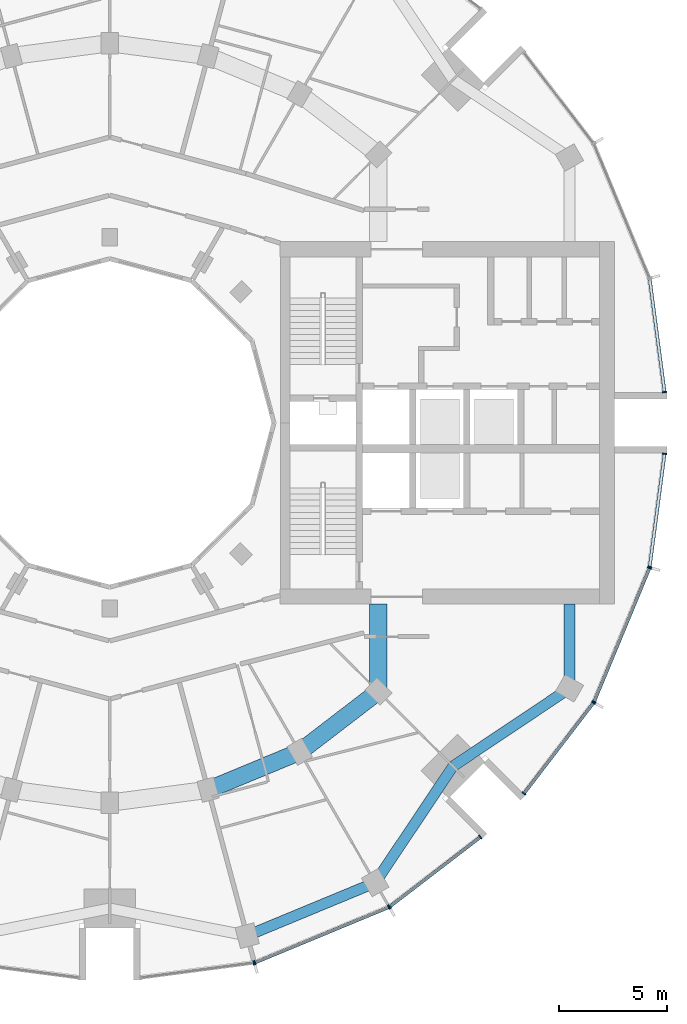
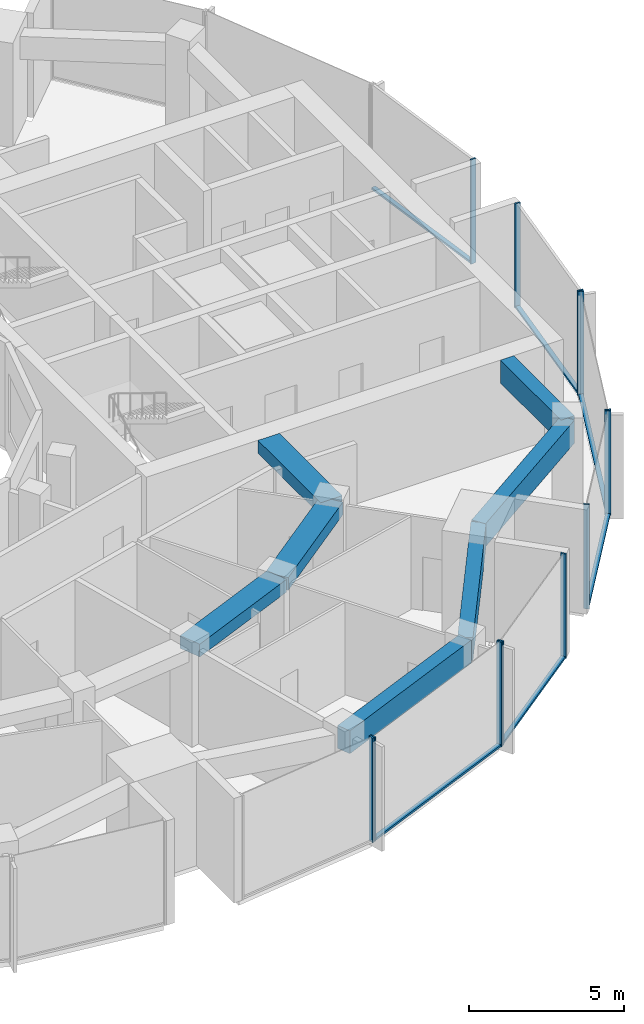
# One storey, part 4 of 15: 18 members, 7 beams, 7 elements without a shape of their own.
"""IFC4 building model written with IfcOpenShell, lengths in metres."""

from ifc_helpers import new_model, si_unit, direction, frame, origin, origin_2d, place, context, subcontext, project, spatial, rectangle, extrude, material, layer, layer_set, material_profile, profile_set, type_object, element, aggregate, save


model = new_model("IFC4")

# Units and contexts
model_context = context("Model", 3, precision=1e-05, world=origin(), true_north=direction((0.0, 1.0)))
body_context = subcontext(model_context, "Body", "Model", "MODEL_VIEW")
ifc_project = project(units=[si_unit("LENGTHUNIT", "METRE"), si_unit("AREAUNIT", "SQUARE_METRE"), si_unit("VOLUMEUNIT", "CUBIC_METRE"), si_unit("PLANEANGLEUNIT", "RADIAN"), si_unit("MASSUNIT", "GRAM", prefix="KILO")], contexts=[model_context])

# Site, building, storey
site_placement = place(None, origin())
site = spatial("IfcSite", under=ifc_project, at=site_placement, CompositionType="ELEMENT")
building_placement = place(site_placement, origin())
building = spatial("IfcBuilding", under=site, at=building_placement, Name="Torre Brocal", CompositionType="ELEMENT")
storey_placement = place(building_placement, frame((0.0, 0.0, 178.199951171875)))
storey = spatial("IfcBuildingStorey", under=building, at=storey_placement, Name="L41", CompositionType="ELEMENT", Elevation=178.199951171875)

# Curtain wall, member
ifc_material_1 = material(Name="Aluminium and glass", Category="aluminium")
ifc_layer_1 = layer(ifc_material_1, 0.199951171875)
ifc_layer_set_1 = layer_set([ifc_layer_1], Name="Aluminium and glass")
curtain_wall_type_1 = type_object("IfcCurtainWallType", Name="CW-1 CURTAIN WALL 4100 HIGH", PredefinedType="NOTDEFINED", material=ifc_layer_set_1)
curtain_wall_1_placement = place(storey_placement, origin())
curtain_wall_1 = element("IfcCurtainWall", 1, at=curtain_wall_1_placement, inside=storey, type_object=curtain_wall_type_1, Name="CW-1 RUN 19", PredefinedType="NOTDEFINED")
ifc_material_2 = material(Name="Aluminium, dark anodised", Category="aluminium")
ifc_material_profile_1 = material_profile(ifc_material_2, rectangle(XDim=0.199951171875, YDim=0.06005859375, at=origin_2d()), Name="CW-1 MULLION 60X200")
ifc_profile_set_1 = profile_set([ifc_material_profile_1], Name="Aluminium, dark anodised")
member_type_1 = type_object("IfcMemberType", Name="CW-1 MULLION 60X200", PredefinedType="MULLION", material=ifc_profile_set_1)
member_1_placement = place(storey_placement, frame((86.67333984375, 49.9794921875, 0.0), z_axis=(0.0, 0.0, 1.0), x_axis=(-0.13052619222, 0.991444861374, 0.0)))
member_1 = element("IfcMember", 2, at=member_1_placement, type_object=member_type_1, Name="CW1-4 mullion 2", PredefinedType="MULLION", context=body_context, shape_type="SweptSolid", body=[
    extrude(rectangle(XDim=0.199951171875, YDim=0.06005859375, at=origin_2d()), origin(), (0.0, 0.0, 1.0), 4.10009765625),
])
aggregate(curtain_wall_1, [member_1])

# Curtain wall, members
curtain_wall_2_placement = place(storey_placement, origin())
curtain_wall_2 = element("IfcCurtainWall", 3, at=curtain_wall_2_placement, inside=storey, type_object=curtain_wall_type_1, Name="CW-1 RUN 20", PredefinedType="NOTDEFINED")
member_2_placement = place(storey_placement, frame((86.73095703125, 49.994873046875, 0.0), z_axis=(0.0, 0.0, 1.0), x_axis=(-0.382683432333, 0.923879532525, 0.0)))
member_2 = element("IfcMember", 4, at=member_2_placement, type_object=member_type_1, Name="CW1-4 mullion 1", PredefinedType="MULLION", context=body_context, shape_type="SweptSolid", body=[
    extrude(rectangle(XDim=0.199951171875, YDim=0.06005859375, at=origin_2d()), origin(), (0.0, 0.0, 1.0), 4.10009765625),
])
member_3_placement = place(storey_placement, frame((92.921875, 52.559326171875, 0.0), z_axis=(0.0, 0.0, 1.0), x_axis=(-0.382683432333, 0.923879532525, 0.0)))
member_3 = element("IfcMember", 5, at=member_3_placement, type_object=member_type_1, Name="CW1-4 mullion 2", PredefinedType="MULLION", context=body_context, shape_type="SweptSolid", body=[
    extrude(rectangle(XDim=0.199951171875, YDim=0.06005859375, at=origin_2d()), origin(), (0.0, 0.0, 1.0), 4.10009765625),
])

curtain_wall_3_placement = place(storey_placement, origin())
curtain_wall_3 = element("IfcCurtainWall", 6, at=curtain_wall_3_placement, inside=storey, type_object=curtain_wall_type_1, Name="CW-1 RUN 21", PredefinedType="NOTDEFINED")
member_4_placement = place(storey_placement, frame((92.973388671875, 52.5888671875, 0.0), z_axis=(0.0, 0.0, 1.0), x_axis=(-0.60876142905, 0.793353340259, 0.0)))
member_4 = element("IfcMember", 7, at=member_4_placement, type_object=member_type_1, Name="CW1-4 mullion 1", PredefinedType="MULLION", context=body_context, shape_type="SweptSolid", body=[
    extrude(rectangle(XDim=0.199951171875, YDim=0.06005859375, at=origin_2d()), origin(), (0.0, 0.0, 1.0), 4.10009765625),
])
member_5_placement = place(storey_placement, frame((97.16943359375, 55.80859375, 0.0), z_axis=(0.0, 0.0, 1.0), x_axis=(-0.60876142905, 0.793353340259, 0.0)))
member_5 = element("IfcMember", 8, at=member_5_placement, type_object=member_type_1, Name="CW1-4 mullion 2", PredefinedType="MULLION", context=body_context, shape_type="SweptSolid", body=[
    extrude(rectangle(XDim=0.199951171875, YDim=0.06005859375, at=origin_2d()), origin(), (0.0, 0.0, 1.0), 4.10009765625),
])

curtain_wall_4_placement = place(storey_placement, origin())
curtain_wall_4 = element("IfcCurtainWall", 9, at=curtain_wall_4_placement, inside=storey, type_object=curtain_wall_type_1, Name="CW-1 RUN 22", PredefinedType="NOTDEFINED")
member_6_placement = place(storey_placement, frame((99.19140625, 57.83056640625, 0.0), z_axis=(0.0, 0.0, 1.0), x_axis=(-0.793353340259, 0.60876142905, 0.0)))
member_6 = element("IfcMember", 10, at=member_6_placement, type_object=member_type_1, Name="CW1-4 mullion 1", PredefinedType="MULLION", context=body_context, shape_type="SweptSolid", body=[
    extrude(rectangle(XDim=0.199951171875, YDim=0.06005859375, at=origin_2d()), origin(), (0.0, 0.0, 1.0), 4.10009765625),
])
member_7_placement = place(storey_placement, frame((102.4111328125, 62.026611328125, 0.0), z_axis=(0.0, 0.0, 1.0), x_axis=(-0.793353340259, 0.60876142905, 0.0)))
member_7 = element("IfcMember", 11, at=member_7_placement, type_object=member_type_1, Name="CW1-4 mullion 2", PredefinedType="MULLION", context=body_context, shape_type="SweptSolid", body=[
    extrude(rectangle(XDim=0.199951171875, YDim=0.06005859375, at=origin_2d()), origin(), (0.0, 0.0, 1.0), 4.10009765625),
])

curtain_wall_5_placement = place(storey_placement, origin())
curtain_wall_5 = element("IfcCurtainWall", 12, at=curtain_wall_5_placement, inside=storey, type_object=curtain_wall_type_1, Name="CW-1 RUN 23", PredefinedType="NOTDEFINED")
member_8_placement = place(storey_placement, frame((102.440673828125, 62.078125, 0.0), z_axis=(0.0, 0.0, 1.0), x_axis=(-0.923879532525, 0.382683432333, 0.0)))
member_8 = element("IfcMember", 13, at=member_8_placement, type_object=member_type_1, Name="CW1-4 mullion 1", PredefinedType="MULLION", context=body_context, shape_type="SweptSolid", body=[
    extrude(rectangle(XDim=0.199951171875, YDim=0.06005859375, at=origin_2d()), origin(), (0.0, 0.0, 1.0), 4.10009765625),
])
member_9_placement = place(storey_placement, frame((105.005126953125, 68.26904296875, 0.0), z_axis=(0.0, 0.0, 1.0), x_axis=(-0.923879532525, 0.382683432333, 0.0)))
member_9 = element("IfcMember", 14, at=member_9_placement, type_object=member_type_1, Name="CW1-4 mullion 2", PredefinedType="MULLION", context=body_context, shape_type="SweptSolid", body=[
    extrude(rectangle(XDim=0.199951171875, YDim=0.06005859375, at=origin_2d()), origin(), (0.0, 0.0, 1.0), 4.10009765625),
])

# Member
ifc_material_3 = material(Name="Aluminium, dark anodised", Category="aluminium")
ifc_material_profile_2 = material_profile(ifc_material_3, rectangle(XDim=0.159912109375, YDim=0.080078125, at=origin_2d()), Name="CW-1 TRANSOM 160X80")
ifc_profile_set_2 = profile_set([ifc_material_profile_2], Name="Aluminium, dark anodised")
member_type_2 = type_object("IfcMemberType", Name="CW-1 TRANSOM 160X80", PredefinedType="USERDEFINED", material=ifc_profile_set_2)
member_10_placement = place(storey_placement, frame((86.758544921875, 50.00634765625, 0.0400390625), z_axis=(0.923887344364, 0.38266457234, 0.0), x_axis=(-0.38266457234, 0.923887344364, 0.0)))
member_10 = element("IfcMember", 15, at=member_10_placement, type_object=member_type_2, Name="CW1-4 transom 1.1", ObjectType="TRANSOM", PredefinedType="USERDEFINED", context=body_context, shape_type="SweptSolid", body=[
    extrude(rectangle(XDim=0.159912109375, YDim=0.080078125, at=origin_2d()), origin(), (0.0, 0.0, 1.0), 6.640869140625),
])

aggregate(curtain_wall_2, [member_2, member_3, member_10])

member_11_placement = place(storey_placement, frame((92.9970703125, 52.607177734375, 0.0400390625), z_axis=(0.79336281513, 0.60874908096, 0.0), x_axis=(-0.60874908096, 0.79336281513, 0.0)))
member_11 = element("IfcMember", 16, at=member_11_placement, type_object=member_type_2, Name="CW1-4 transom 1.1", ObjectType="TRANSOM", PredefinedType="USERDEFINED", context=body_context, shape_type="SweptSolid", body=[
    extrude(rectangle(XDim=0.159912109375, YDim=0.080078125, at=origin_2d()), origin(), (0.0, 0.0, 1.0), 5.22900390625),
])

aggregate(curtain_wall_3, [member_4, member_5, member_11])

member_12_placement = place(storey_placement, frame((99.209716796875, 57.8544921875, 0.0400390625), z_axis=(0.60874908096, 0.79336281513, 0.0), x_axis=(-0.79336281513, 0.60874908096, 0.0)))
member_12 = element("IfcMember", 17, at=member_12_placement, type_object=member_type_2, Name="CW1-4 transom 1.1", ObjectType="TRANSOM", PredefinedType="USERDEFINED", context=body_context, shape_type="SweptSolid", body=[
    extrude(rectangle(XDim=0.159912109375, YDim=0.080078125, at=origin_2d()), origin(), (0.0, 0.0, 1.0), 5.22900390625),
])

aggregate(curtain_wall_4, [member_6, member_7, member_12])

member_13_placement = place(storey_placement, frame((102.452392578125, 62.10595703125, 0.0400390625), z_axis=(0.38266457234, 0.923887344364, 0.0), x_axis=(-0.923887344364, 0.38266457234, 0.0)))
member_13 = element("IfcMember", 18, at=member_13_placement, type_object=member_type_2, Name="CW1-4 transom 1.1", ObjectType="TRANSOM", PredefinedType="USERDEFINED", context=body_context, shape_type="SweptSolid", body=[
    extrude(rectangle(XDim=0.159912109375, YDim=0.080078125, at=origin_2d()), origin(), (0.0, 0.0, 1.0), 6.640869140625),
])

aggregate(curtain_wall_5, [member_8, member_9, member_13])

# Curtain wall, member
ifc_material_4 = material(Name="Aluminium and glass", Category="aluminium")
ifc_layer_2 = layer(ifc_material_4, 0.199951171875)
ifc_layer_set_2 = layer_set([ifc_layer_2], Name="Aluminium and glass")
curtain_wall_type_2 = type_object("IfcCurtainWallType", Name="CW-1B CURTAIN WALL 4100 HIGH", PredefinedType="NOTDEFINED", material=ifc_layer_set_2)
curtain_wall_6_placement = place(storey_placement, origin())
curtain_wall_6 = element("IfcCurtainWall", 19, at=curtain_wall_6_placement, inside=storey, type_object=curtain_wall_type_2, Name="CW-1B RUN 1", PredefinedType="NOTDEFINED")
ifc_material_5 = material(Name="Aluminium, dark anodised", Category="aluminium")
ifc_material_profile_3 = material_profile(ifc_material_5, rectangle(XDim=0.199951171875, YDim=0.06005859375, at=origin_2d()), Name="CW-1B MULLION 60X200")
ifc_profile_set_3 = profile_set([ifc_material_profile_3], Name="Aluminium, dark anodised")
member_type_3 = type_object("IfcMemberType", Name="CW-1B MULLION 60X200", PredefinedType="MULLION", material=ifc_profile_set_3)
member_14_placement = place(storey_placement, frame((105.7109375, 76.4296875, 0.0), z_axis=(0.0, 0.0, 1.0), x_axis=(-0.991444861374, -0.13052619222, 0.0)))
member_14 = element("IfcMember", 20, at=member_14_placement, type_object=member_type_3, Name="CW1B-4 mullion 1", PredefinedType="MULLION", context=body_context, shape_type="SweptSolid", body=[
    extrude(rectangle(XDim=0.199951171875, YDim=0.06005859375, at=origin_2d()), origin(), (0.0, 0.0, 1.0), 4.10009765625),
])

# Curtain wall, members
curtain_wall_7_placement = place(storey_placement, origin())
curtain_wall_7 = element("IfcCurtainWall", 21, at=curtain_wall_7_placement, inside=storey, type_object=curtain_wall_type_2, Name="CW-1B RUN 24", PredefinedType="NOTDEFINED")
member_15_placement = place(storey_placement, frame((105.0205078125, 68.32666015625, 0.0), z_axis=(0.0, 0.0, 1.0), x_axis=(-0.991444861374, 0.13052619222, 0.0)))
member_15 = element("IfcMember", 22, at=member_15_placement, type_object=member_type_3, Name="CW1B-4 mullion 1", PredefinedType="MULLION", context=body_context, shape_type="SweptSolid", body=[
    extrude(rectangle(XDim=0.199951171875, YDim=0.06005859375, at=origin_2d()), origin(), (0.0, 0.0, 1.0), 4.10009765625),
])
member_16_placement = place(storey_placement, frame((105.7109375, 73.5703125, 0.0), z_axis=(0.0, 0.0, 1.0), x_axis=(-0.991444861374, 0.13052619222, 0.0)))
member_16 = element("IfcMember", 23, at=member_16_placement, type_object=member_type_3, Name="CW1B-4 mullion 2", PredefinedType="MULLION", context=body_context, shape_type="SweptSolid", body=[
    extrude(rectangle(XDim=0.199951171875, YDim=0.06005859375, at=origin_2d()), origin(), (0.0, 0.0, 1.0), 4.10009765625),
])

# Member
ifc_material_6 = material(Name="Aluminium, dark anodised", Category="aluminium")
ifc_material_profile_4 = material_profile(ifc_material_6, rectangle(XDim=0.159912109375, YDim=0.080078125, at=origin_2d()), Name="CW-1B TRANSOM 160X80")
ifc_profile_set_4 = profile_set([ifc_material_profile_4], Name="Aluminium, dark anodised")
member_type_4 = type_object("IfcMemberType", Name="CW-1B TRANSOM 160X80", PredefinedType="USERDEFINED", material=ifc_profile_set_4)
member_17_placement = place(storey_placement, frame((105.70703125, 76.45947265625, 0.0400390625), z_axis=(-0.130542677827, 0.991442690863, 0.0), x_axis=(-0.991442690863, -0.130542677827, 0.0)))
member_17 = element("IfcMember", 24, at=member_17_placement, type_object=member_type_4, Name="CW1B-4 transom 1.1", ObjectType="TRANSOM", PredefinedType="USERDEFINED", context=body_context, shape_type="SweptSolid", body=[
    extrude(rectangle(XDim=0.159912109375, YDim=0.080078125, at=origin_2d()), origin(), (0.0, 0.0, 1.0), 5.22900390625),
])

aggregate(curtain_wall_6, [member_14, member_17])

member_18_placement = place(storey_placement, frame((105.0244140625, 68.356201171875, 0.0400390625), z_axis=(0.130542677827, 0.991442690863, 0.0), x_axis=(-0.991442690863, 0.130542677827, 0.0)))
member_18 = element("IfcMember", 25, at=member_18_placement, type_object=member_type_4, Name="CW1B-4 transom 1.1", ObjectType="TRANSOM", PredefinedType="USERDEFINED", context=body_context, shape_type="SweptSolid", body=[
    extrude(rectangle(XDim=0.159912109375, YDim=0.080078125, at=origin_2d()), origin(), (0.0, 0.0, 1.0), 5.22900390625),
])

aggregate(curtain_wall_7, [member_15, member_16, member_18])

# Beams
ifc_material_7 = material(Name="Concrete C50", Category="concrete")
ifc_material_profile_5 = material_profile(ifc_material_7, rectangle(XDim=0.800048828125, YDim=0.5, at=origin_2d()), Name="RC 800X500")
ifc_profile_set_5 = profile_set([ifc_material_profile_5], Name="Concrete C50")
beam_type_1 = type_object("IfcBeamType", Name="RC BEAM 800X500 C50 TOP 3780", PredefinedType="BEAM", material=ifc_profile_set_5)
beam_1_placement = place(storey_placement, frame((84.55517578125, 57.999755859375, 3.530029296875), z_axis=(0.923878240166, 0.382686552348, 0.0), x_axis=(-0.382686552348, 0.923878240166, 0.0)))
element("IfcBeam", 26, at=beam_1_placement, inside=storey, type_object=beam_type_1, Name="Beam BT-32", PredefinedType="BEAM", context=body_context, shape_type="SweptSolid", body=[
    extrude(rectangle(XDim=0.800048828125, YDim=0.5, at=origin_2d()), origin(), (0.0, 0.0, 1.0), 4.5947265625),
])
beam_2_placement = place(storey_placement, frame((88.800048828125, 59.758056640625, 3.530029296875), z_axis=(0.793358265959, 0.6087550097, 0.0), x_axis=(-0.6087550097, 0.793358265959, 0.0)))
element("IfcBeam", 27, at=beam_2_placement, inside=storey, type_object=beam_type_1, Name="Beam BT-32", PredefinedType="BEAM", context=body_context, shape_type="SweptSolid", body=[
    extrude(rectangle(XDim=0.800048828125, YDim=0.5, at=origin_2d()), origin(), (0.0, 0.0, 1.0), 4.594482421875),
])
beam_3_placement = place(storey_placement, frame((92.445068359375, 62.554931640625, 3.530029296875), z_axis=(0.0, 1.0, 0.0), x_axis=(-1.0, 0.0, 0.0)))
element("IfcBeam", 28, at=beam_3_placement, inside=storey, type_object=beam_type_1, Name="Beam BT-32", PredefinedType="BEAM", context=body_context, shape_type="SweptSolid", body=[
    extrude(rectangle(XDim=0.800048828125, YDim=0.5, at=origin_2d()), origin(), (0.0, 0.0, 1.0), 4.045166015625),
])
ifc_material_8 = material(Name="Concrete C50", Category="concrete")
ifc_material_profile_6 = material_profile(ifc_material_8, rectangle(XDim=0.5, YDim=0.89990234375, at=origin_2d()), Name="RC 500X900")
ifc_profile_set_6 = profile_set([ifc_material_profile_6], Name="Concrete C50")
beam_type_2 = type_object("IfcBeamType", Name="RC SPANDREL BEAM 500X900 C50 TOP 3780", PredefinedType="SPANDREL", material=ifc_profile_set_6)
beam_4_placement = place(storey_placement, frame((86.366943359375, 51.23828125, 3.330078125), z_axis=(0.923882462513, 0.382676358639, 0.0), x_axis=(-0.382676358639, 0.923882462513, 0.0)))
element("IfcBeam", 29, at=beam_4_placement, inside=storey, type_object=beam_type_2, Name="Beam BT-33", PredefinedType="SPANDREL", context=body_context, shape_type="SweptSolid", body=[
    extrude(rectangle(XDim=0.5, YDim=0.89990234375, at=origin_2d()), origin(), (0.0, 0.0, 1.0), 6.421875),
])
for number, where, z_axis, x_axis, name in (
    (30, (92.300048828125, 53.69580078125, 3.330078125), (0.556157602282, 0.831076844476, 0.0), (-0.831076844476, 0.556157602282, 0.0), "Beam BT-33"),
    (31, (95.909912109375, 59.090087890625, 3.330078125), (0.831076844476, 0.556157602282, 0.0), (-0.556157602282, 0.831076844476, 0.0), "Beam BT-33"),
):
    element("IfcBeam", number, at=place(storey_placement, frame(where, z_axis=z_axis, x_axis=x_axis)), inside=storey, type_object=beam_type_2, Name=name, PredefinedType="SPANDREL", context=body_context, shape_type="SweptSolid", body=[
        extrude(rectangle(XDim=0.5, YDim=0.89990234375, at=origin_2d()), origin(), (0.0, 0.0, 1.0), 6.49072265625),
    ])
beam_5_placement = place(storey_placement, frame((101.30419921875, 62.699951171875, 3.330078125), z_axis=(0.0, 1.0, 0.0), x_axis=(-1.0, 0.0, 0.0)))
element("IfcBeam", 32, at=beam_5_placement, inside=storey, type_object=beam_type_2, Name="Beam BT-33", PredefinedType="SPANDREL", context=body_context, shape_type="SweptSolid", body=[
    extrude(rectangle(XDim=0.5, YDim=0.89990234375, at=origin_2d()), origin(), (0.0, 0.0, 1.0), 3.900146484375),
])

save(model, "model.ifc")
